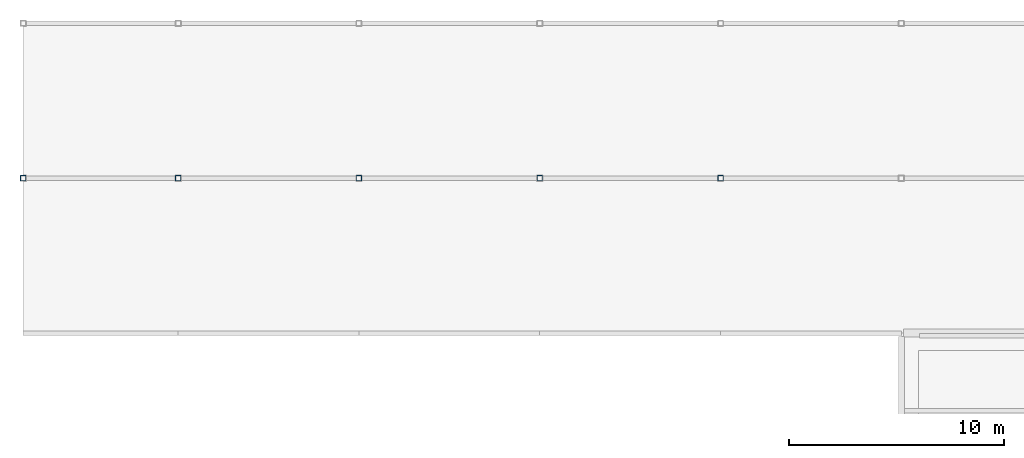
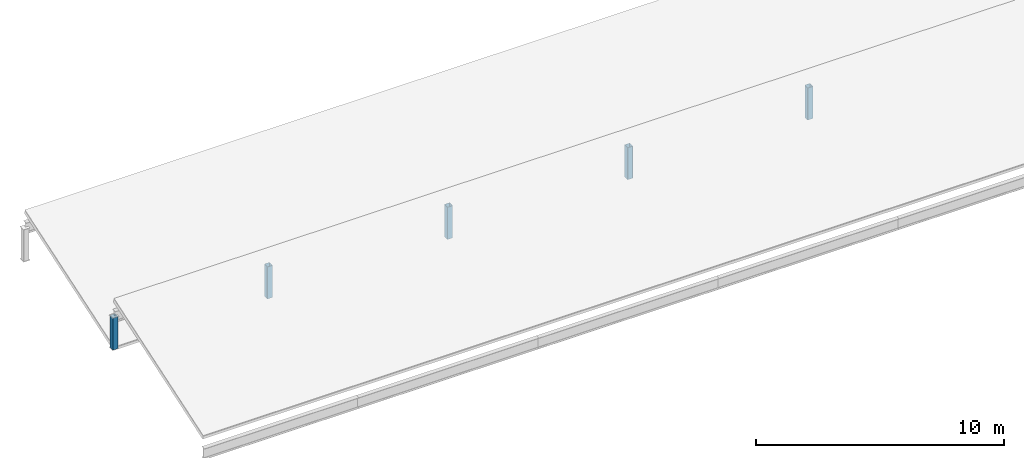
# One storey, part 10 of 72: 5 columns.
"""IFC4 building model written with IfcOpenShell, lengths in metres."""

from ifc_helpers import new_model, si_unit, direction, frame, origin, origin_2d, place, context, subcontext, project, spatial, hollow_rectangle, extrude, material, material_profile, profile_set, type_object, element, save


model = new_model("IFC4")

# Units and contexts
model_context = context("Model", 3, precision=1e-05, world=origin(), true_north=direction((0.0, 1.0)))
body_context = subcontext(model_context, "Body", "Model", "MODEL_VIEW")
ifc_project = project(units=[si_unit("LENGTHUNIT", "METRE"), si_unit("AREAUNIT", "SQUARE_METRE"), si_unit("VOLUMEUNIT", "CUBIC_METRE"), si_unit("PLANEANGLEUNIT", "RADIAN"), si_unit("MASSUNIT", "GRAM", prefix="KILO")], contexts=[model_context])

# Site, building, storey
site_placement = place(None, origin())
site = spatial("IfcSite", under=ifc_project, at=site_placement, CompositionType="ELEMENT")
building_placement = place(site_placement, origin())
building = spatial("IfcBuilding", under=site, at=building_placement, Name="Calvrana Isthmian Art Gallery", CompositionType="ELEMENT")
storey_placement = place(building_placement, frame((0.0, 0.0, 15.0)))
storey = spatial("IfcBuildingStorey", under=building, at=storey_placement, Name="L03", CompositionType="ELEMENT", Elevation=15.0)

# Columns
ifc_material = material(Name="Steel ASTM A500 Gr C", Category="steel")
ifc_material_profile = material_profile(ifc_material, hollow_rectangle(XDim=0.25390625, YDim=0.25390625, WallThickness=0.0126953125, OuterFilletRadius=0.02490234375, at=origin_2d()), Name="HSS254X254X12.7")
ifc_profile_set = profile_set([ifc_material_profile], Name="Steel ASTM A500 Gr C")
column_type = type_object("IfcColumnType", Name="COL-STL-HSS254X254X12.7", PredefinedType="COLUMN", material=ifc_profile_set)
for number, where, z_axis, x_axis, name in (
    (1, (14.39990234375, 105.60009765625, 0.0), (0.0, 0.0, 1.0), (1.0, 0.0, 0.0), "Roof ridge post L03-7"),
    (2, (21.60009765625, 105.60009765625, 0.0), (0.0, 0.0, 1.0), (1.0, 0.0, 0.0), "Roof ridge post L03-8"),
    (3, (30.0, 105.60009765625, 0.0), (0.0, 0.0, 1.0), (1.0, 0.0, 0.0), "Roof ridge post L03-9"),
    (4, (38.39990234375, 105.60009765625, 0.0), (0.0, 0.0, 1.0), (1.0, 0.0, 0.0), "Roof ridge post L03-10"),
    (5, (46.800048828125, 105.60009765625, 0.0), (0.0, 0.0, 1.0), (1.0, 0.0, 0.0), "Roof ridge post L03-11"),
):
    element("IfcColumn", number, at=place(storey_placement, frame(where, z_axis=z_axis, x_axis=x_axis)), inside=storey, type_object=column_type, Name=name, PredefinedType="COLUMN", context=body_context, shape_type="SweptSolid", body=[
        extrude(hollow_rectangle(XDim=0.25390625, YDim=0.25390625, WallThickness=0.0126953125, OuterFilletRadius=0.02490234375, at=origin_2d()), origin(), (0.0, 0.0, 1.0), 1.580078125),
    ])

save(model, "model.ifc")
